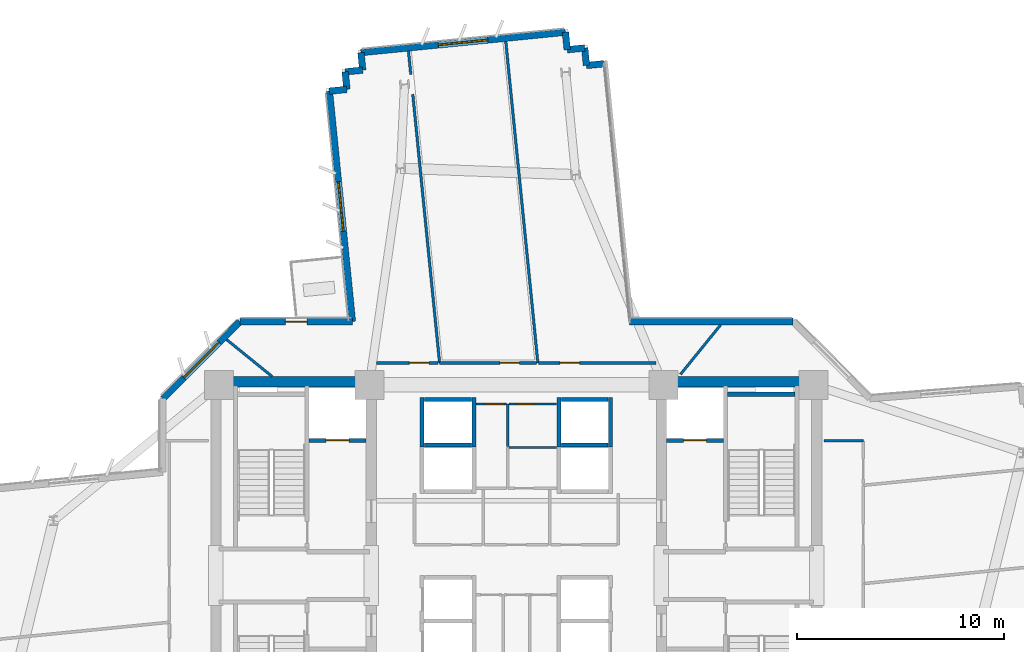
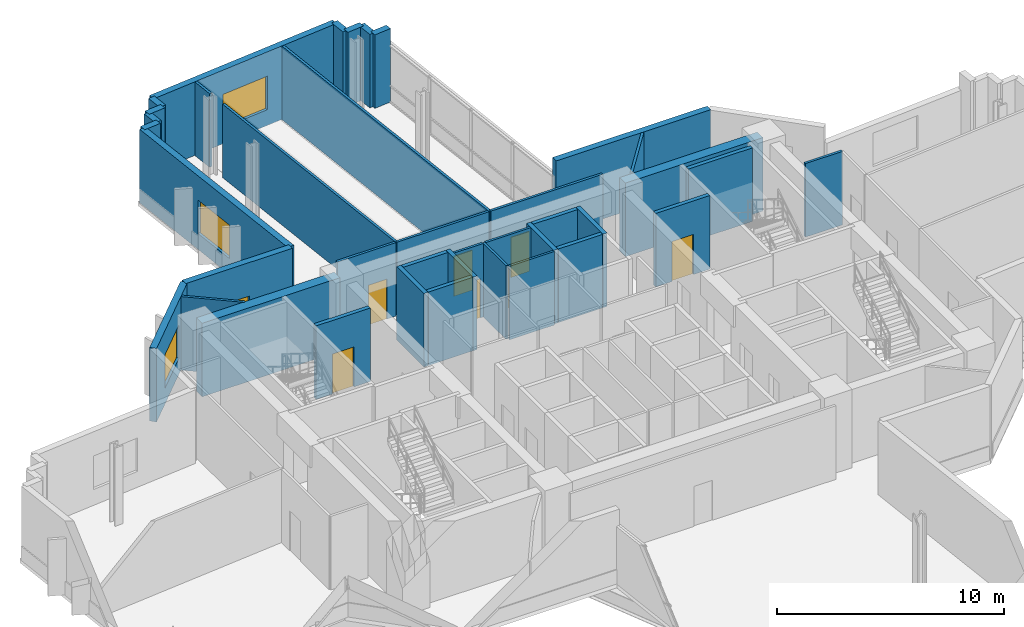
# One storey, part 9 of 14: 39 walls, 8 doors, 3 windows, 11 openings.
"""IFC4 building model written with IfcOpenShell, lengths in metres."""

import ifcopenshell
import ifcopenshell.guid

model = None  # the IFC model being written
_history = None  # IfcOwnerHistory: only IFC2X3 demands one
_inside = {}  # id of a spatial element -> (the spatial element, [elements in it])
_under = {}  # id of a project, library or spatial element -> (it, [spatial elements below it])
_declared = {}  # id of a project -> (the project, [libraries it declares])
_typed = {}  # id of a type object -> (the type object, [elements of that type])
_made_of = {}  # id of a material, layer set ... -> (it, [elements and type objects made of it])


def new_model(schema):
    """Start an empty IFC model of exactly this schema.

    Asked for "IFC4X3", IfcOpenShell would pick the latest addendum, in which some entities
    have other attributes; the version numbers below select the first issue.
    IFC2X3 requires an IfcOwnerHistory on every rooted entity: one is made here for all.
    """
    global model, _history
    if schema == "IFC4X3":
        model = ifcopenshell.file(schema_version=(4, 3, 0, 0))
    else:
        model = ifcopenshell.file(schema=schema)
    _inside.clear()
    _under.clear()
    _declared.clear()
    _typed.clear()
    _made_of.clear()
    _history = None
    if model.schema == "IFC2X3":
        org = make("IfcOrganization", Name="unknown")
        user = make(
            "IfcPersonAndOrganization",
            ThePerson=make("IfcPerson", FamilyName="unknown"),
            TheOrganization=org,
        )
        app = make(
            "IfcApplication",
            ApplicationDeveloper=org,
            Version="unknown",
            ApplicationFullName="unknown",
            ApplicationIdentifier="unknown",
        )
        _history = make(
            "IfcOwnerHistory",
            OwningUser=user,
            OwningApplication=app,
            ChangeAction="ADDED",
            CreationDate=0,
        )
    return model


def make(cls, **values):
    """One entity of the class cls with the attributes given. An attribute that is None is left unset."""
    return model.create_entity(
        cls, **{name: value for name, value in values.items() if value is not None}
    )


def rooted(cls, **values):
    """An entity with a GlobalId (a new one), such as an element, a storey or a relation."""
    return make(cls, GlobalId=ifcopenshell.guid.new(), OwnerHistory=_history, **values)


def si_unit(unit_type, name, prefix=None):
    """IfcSIUnit, for example si_unit("LENGTHUNIT", "METRE", prefix="MILLI")."""
    return make("IfcSIUnit", UnitType=unit_type, Prefix=prefix, Name=name)


def assignment(units):
    """IfcUnitAssignment: the units of a project."""
    return None if units is None else make("IfcUnitAssignment", Units=units)


def point(xyz):
    """IfcCartesianPoint."""
    return None if xyz is None else make("IfcCartesianPoint", Coordinates=xyz)


def direction(xyz):
    """IfcDirection."""
    return None if xyz is None else make("IfcDirection", DirectionRatios=xyz)


def frame(location, z_axis=None, x_axis=None):
    """IfcAxis2Placement3D, a coordinate frame: its origin and axes. An axis left out is left unset."""
    return make(
        "IfcAxis2Placement3D",
        Location=point(location),
        Axis=direction(z_axis),
        RefDirection=direction(x_axis),
    )


def frame_2d(location, x_axis=None):
    """IfcAxis2Placement2D, a coordinate frame in the plane: its origin and x axis."""
    return make(
        "IfcAxis2Placement2D", Location=point(location), RefDirection=direction(x_axis)
    )


def origin():
    """The frame at (0, 0, 0) with its axes left unset."""
    return frame((0.0, 0.0, 0.0))


def place(relative_to, where):
    """IfcLocalPlacement: puts the frame where relative to a parent placement (None: the world)."""
    return make(
        "IfcLocalPlacement", PlacementRelTo=relative_to, RelativePlacement=where
    )


def context(
    kind, dimensions, precision=None, world=None, true_north=None, identifier=None
):
    """IfcGeometricRepresentationContext, for example the 3D "Model" context."""
    return make(
        "IfcGeometricRepresentationContext",
        ContextIdentifier=identifier,
        ContextType=kind,
        CoordinateSpaceDimension=dimensions,
        Precision=precision,
        WorldCoordinateSystem=world,
        TrueNorth=true_north,
    )


def subcontext(parent, identifier, kind, view, scale=None):
    """IfcGeometricRepresentationSubContext, for example "Body" below "Model"."""
    return make(
        "IfcGeometricRepresentationSubContext",
        ContextIdentifier=identifier,
        ContextType=kind,
        ParentContext=parent,
        TargetScale=scale,
        TargetView=view,
    )


def project(units=None, contexts=None):
    """IfcProject with its units and contexts."""
    return rooted(
        "IfcProject",
        Name="project",
        RepresentationContexts=contexts,
        UnitsInContext=assignment(units),
    )


def spatial(cls, under=None, at=None, **own):
    """A site, building, storey or space (cls), placed at a placement, below another one or the project."""
    s = rooted(cls, ObjectPlacement=at, **own)
    if under is not None:
        _under.setdefault(under.id(), (under, []))[1].append(s)
    return s


def profile(cls, at=None, kind="AREA", **sizes):
    """A parametric profile (cls). Its sizes go by their IFC names, for example OverallWidth=200.0."""
    return make(cls, ProfileType=kind, Position=at, **sizes)


def rectangle(**sizes):
    """IfcRectangleProfileDef."""
    return profile("IfcRectangleProfileDef", **sizes)


def extrude(swept, where, along, depth):
    """IfcExtrudedAreaSolid: the profile swept, set in the frame where, extruded along a direction by depth."""
    return make(
        "IfcExtrudedAreaSolid",
        SweptArea=swept,
        Position=where,
        ExtrudedDirection=direction(along),
        Depth=depth,
    )


def shape(context_of_items, identifier, shape_type, items):
    """IfcShapeRepresentation: the items that make up one representation, for example the "Body"."""
    return make(
        "IfcShapeRepresentation",
        ContextOfItems=context_of_items,
        RepresentationIdentifier=identifier,
        RepresentationType=shape_type,
        Items=items,
    )


def source(mapping_origin, context_of_items, identifier, shape_type, items):
    """IfcRepresentationMap: a shape defined once, which mapped items show again and again."""
    return make(
        "IfcRepresentationMap",
        MappingOrigin=mapping_origin,
        MappedRepresentation=shape(context_of_items, identifier, shape_type, items),
    )


def transform(
    local_origin,
    x_axis=None,
    y_axis=None,
    z_axis=None,
    scale=None,
    scale2=None,
    scale3=None,
    uniform=True,
):
    """IfcCartesianTransformationOperator3D, or its non-uniform kind. x_axis, y_axis, z_axis: its Axis1, 2, 3."""
    if uniform:
        return make(
            "IfcCartesianTransformationOperator3D",
            Axis1=direction(x_axis),
            Axis2=direction(y_axis),
            LocalOrigin=point(local_origin),
            Scale=scale,
            Axis3=direction(z_axis),
        )
    return make(
        "IfcCartesianTransformationOperator3DnonUniform",
        Axis1=direction(x_axis),
        Axis2=direction(y_axis),
        LocalOrigin=point(local_origin),
        Scale=scale,
        Axis3=direction(z_axis),
        Scale2=scale2,
        Scale3=scale3,
    )


def mapped(mapping_source, mapping_target):
    """IfcMappedItem: shows the shape of a source again, moved by a transform."""
    return make(
        "IfcMappedItem", MappingSource=mapping_source, MappingTarget=mapping_target
    )


def material(Name=None, Category=None):
    """IfcMaterial."""
    return make("IfcMaterial", Name=Name, Category=Category)


def layer(
    of_material, thickness, ventilated=None, Name=None, Category=None, Priority=None
):
    """IfcMaterialLayer: one layer of a wall or slab, of a material (None: an air gap)."""
    return make(
        "IfcMaterialLayer",
        Material=of_material,
        LayerThickness=thickness,
        IsVentilated=ventilated,
        Name=Name,
        Category=Category,
        Priority=Priority,
    )


def layer_set(layers, Name=None):
    """IfcMaterialLayerSet."""
    return make("IfcMaterialLayerSet", MaterialLayers=layers, LayerSetName=Name)


def made_of(thing, what):
    """Note that an element or type object is made of a material, layer set ...; save() writes the relation."""
    if what is not None:
        _made_of.setdefault(what.id(), (what, []))[1].append(thing)
    return thing


def type_object(cls, material=None, **own):
    """A type object (cls), such as IfcWallType, which elements share."""
    return made_of(rooted(cls, **own), material)


def element(
    cls,
    number,
    at=None,
    inside=None,
    cuts=None,
    type_object=None,
    material=None,
    context=None,
    identifier="Body",
    shape_type=None,
    held_by="IfcProductDefinitionShape",
    body=None,
    shapes=None,
    **own,
):
    """One element of the class cls, such as IfcWall. Its Tag is "e" and its number.

    at: its placement. inside: the storey or other place that contains it. cuts: it is an
    opening in that element (IfcRelVoidsElement). A single representation is given by context,
    identifier, shape_type and body (its items); several are given by shapes. held_by: the class
    of the entity that holds the representations. save() writes the other relations.
    """
    e = rooted(cls, Tag="e%d" % number, ObjectPlacement=at, **own)
    if body is not None:
        shapes = [shape(context, identifier, shape_type, body)]
    if shapes is not None:
        e.Representation = make(held_by, Representations=shapes)
    if inside is not None:
        _inside.setdefault(inside.id(), (inside, []))[1].append(e)
    if cuts is not None:
        rooted(
            "IfcRelVoidsElement", RelatingBuildingElement=cuts, RelatedOpeningElement=e
        )
    if type_object is not None:
        _typed.setdefault(type_object.id(), (type_object, []))[1].append(e)
    return made_of(e, material)


def fill(opening, filler):
    """IfcRelFillsElement: the door or window that sits in an opening."""
    return rooted(
        "IfcRelFillsElement",
        RelatingOpeningElement=opening,
        RelatedBuildingElement=filler,
    )


def aggregate(whole, parts):
    """IfcRelAggregates: a whole, such as a stair, and the parts it consists of."""
    return rooted("IfcRelAggregates", RelatingObject=whole, RelatedObjects=parts)


def save(model, path):
    """Write the relations noted so far, then the file.

    IfcRelAggregates (storeys below a building ...), IfcRelContainedInSpatialStructure (elements
    in a storey), IfcRelDefinesByType, IfcRelAssociatesMaterial and IfcRelDeclares: one each for
    every whole, place, type object, material and project.
    """
    for whole, parts in _under.values():
        aggregate(whole, parts)
    for where, things in _inside.values():
        rooted(
            "IfcRelContainedInSpatialStructure",
            RelatedElements=things,
            RelatingStructure=where,
        )
    for kind, things in _typed.values():
        rooted("IfcRelDefinesByType", RelatedObjects=things, RelatingType=kind)
    for what, things in _made_of.values():
        rooted("IfcRelAssociatesMaterial", RelatedObjects=things, RelatingMaterial=what)
    for by, libraries in _declared.values():
        rooted("IfcRelDeclares", RelatingContext=by, RelatedDefinitions=libraries)
    model.write(path)


model = new_model("IFC4")

# Units and contexts
model_context = context("Model", 3, precision=1e-05, world=origin(), true_north=direction((0.0, 1.0)))
body_context = subcontext(model_context, "Body", "Model", "MODEL_VIEW")
ifc_project = project(units=[si_unit("LENGTHUNIT", "METRE"), si_unit("AREAUNIT", "SQUARE_METRE"), si_unit("VOLUMEUNIT", "CUBIC_METRE"), si_unit("PLANEANGLEUNIT", "RADIAN"), si_unit("MASSUNIT", "GRAM", prefix="KILO")], contexts=[model_context])

# Site, building, storey
site_placement = place(None, origin())
site = spatial("IfcSite", under=ifc_project, at=site_placement, CompositionType="ELEMENT")
building_placement = place(site_placement, origin())
building = spatial("IfcBuilding", under=site, at=building_placement, Name="Zahravan Cultural Tower", CompositionType="ELEMENT")
storey_placement = place(building_placement, frame((0.0, 0.0, 92.10009765625)))
storey = spatial("IfcBuildingStorey", under=building, at=storey_placement, Name="L20", CompositionType="ELEMENT", Elevation=92.10009765625)

# Wall, opening, window
ifc_material_1 = material(Name="Precast concrete C40/50", Category="concrete")
ifc_layer_1 = layer(ifc_material_1, 0.320068359375)
ifc_layer_set_1 = layer_set([ifc_layer_1], Name="Precast concrete C40/50")
wall_type_1 = type_object("IfcWallType", Name="EW-TC-320", PredefinedType="SOLIDWALL", material=ifc_layer_set_1)
wall_1_placement = place(storey_placement, frame((18.93994140625, 35.5419921875, 0.0), z_axis=(0.0, 0.0, 1.0), x_axis=(0.707106781187, 0.707106781187, 0.0)))
wall_1 = element("IfcWall", 1, at=wall_1_placement, inside=storey, type_object=wall_type_1, Name="L20 Exterior Masonry Frame Wall 13", PredefinedType="SOLIDWALL", context=body_context, shape_type="SweptSolid", body=[
    extrude(rectangle(XDim=5.258056640625, YDim=0.320068359375, at=frame_2d((2.62890625, 0.0))), origin(), (0.0, 0.0, 1.0), 3.949951171875),
])
opening_1_placement = place(wall_1_placement, frame((1.428955078125, 0.0, 0.85009765625)))
opening_1 = element("IfcOpeningElement", 2, at=opening_1_placement, cuts=wall_1, Name="Opening WN-01", PredefinedType="OPENING", context=body_context, shape_type="SweptSolid", body=[
    extrude(rectangle(XDim=2.39990234375, YDim=1.800048828125, at=frame_2d((1.199951171875, 0.89990234375))), frame((0.0, 0.169921875, 0.0), z_axis=(0.0, -1.0, 0.0), x_axis=(1.0, 0.0, 0.0)), (0.0, 0.0, 1.0), 0.340087890625),
])
ifc_material_2 = material(Name="Low-E solar-control double glazing", Category="glass")
window_type = type_object("IfcWindowType", Name="WN-REC-2400X1800", PartitioningType="DOUBLE_PANEL_VERTICAL", PredefinedType="WINDOW", material=ifc_material_2)
shared_shape_1 = source(origin(), body_context, "Body", "SweptSolid", [
    extrude(rectangle(XDim=2.39990234375, YDim=1.800048828125, at=frame_2d((1.199951171875, 0.89990234375))), frame((0.0, 0.030029296875, 0.0), z_axis=(0.0, -1.0, 0.0), x_axis=(1.0, 0.0, 0.0)), (0.0, 0.0, 1.0), 0.06005859375),
])
window_1_placement = place(opening_1_placement, origin())
window_1 = element("IfcWindow", 3, at=window_1_placement, inside=storey, type_object=window_type, Name="L20 Recessed Solar Window 03", OverallHeight=1.800048828125, OverallWidth=2.39990234375, PartitioningType="DOUBLE_PANEL_VERTICAL", PredefinedType="WINDOW", context=body_context, shape_type="MappedRepresentation", body=[
    mapped(shared_shape_1, transform((0.0, 0.0, 0.0), x_axis=(1.0, 0.0, 0.0), y_axis=(0.0, 1.0, 0.0), z_axis=(0.0, 0.0, 1.0), scale=1.0)),
])
fill(opening_1, window_1)

# Wall, opening, door
wall_2_placement = place(storey_placement, frame((22.657958984375, 39.260009765625, 0.0), z_axis=(0.0, 0.0, 1.0), x_axis=(1.0, 0.0, 0.0)))
wall_2 = element("IfcWall", 4, at=wall_2_placement, inside=storey, type_object=wall_type_1, Name="L20 Exterior Masonry Frame Wall 14", PredefinedType="SOLIDWALL", context=body_context, shape_type="SweptSolid", body=[
    extrude(rectangle(XDim=5.42529296875, YDim=0.320068359375, at=frame_2d((2.712646484375, 0.0))), origin(), (0.0, 0.0, 1.0), 3.949951171875),
])
opening_2_placement = place(wall_2_placement, frame((2.18798828125, 0.0, 0.0)))
opening_2 = element("IfcOpeningElement", 5, at=opening_2_placement, cuts=wall_2, Name="Opening D-L20-TR-NW", PredefinedType="OPENING", context=body_context, shape_type="SweptSolid", body=[
    extrude(rectangle(XDim=1.050048828125, YDim=2.14990234375, at=frame_2d((0.52490234375, 1.074951171875))), frame((0.0, 0.169921875, 0.0), z_axis=(0.0, -1.0, 0.0), x_axis=(1.0, 0.0, 0.0)), (0.0, 0.0, 1.0), 0.340087890625),
])
ifc_material_3 = material(Name="Anodised bronze-aluminium mullion", Category="aluminium")
door_type_1 = type_object("IfcDoorType", Name="DR-TERR-1050", OperationType="NOTDEFINED", PredefinedType="DOOR", material=ifc_material_3)
shared_shape_2 = source(origin(), body_context, "Body", "SweptSolid", [
    extrude(rectangle(XDim=1.050048828125, YDim=2.14990234375, at=frame_2d((0.52490234375, 1.074951171875))), frame((0.0, 0.02490234375, 0.0), z_axis=(0.0, -1.0, 0.0), x_axis=(1.0, 0.0, 0.0)), (0.0, 0.0, 1.0), 0.050048828125),
])
door_1_placement = place(opening_2_placement, origin())
door_1 = element("IfcDoor", 6, at=door_1_placement, inside=storey, type_object=door_type_1, Name="L20 Terrace Access Door NW", OperationType="SINGLE_SWING_LEFT", OverallHeight=2.14990234375, OverallWidth=1.050048828125, PredefinedType="DOOR", context=body_context, shape_type="MappedRepresentation", body=[
    mapped(shared_shape_2, transform((0.0, 0.0, 0.0), x_axis=(1.0, 0.0, 0.0), y_axis=(0.0, 1.0, 0.0), z_axis=(0.0, 0.0, 1.0), scale=1.0)),
])
fill(opening_2, door_1)

# Wall, opening, window
wall_3_placement = place(storey_placement, frame((28.083251953125, 39.260009765625, 0.0), z_axis=(0.0, 0.0, 1.0), x_axis=(-0.099322009391, 0.995055344416, 0.0)))
wall_3 = element("IfcWall", 7, at=wall_3_placement, inside=storey, type_object=wall_type_1, Name="L20 Exterior Masonry Frame Wall 15", PredefinedType="SOLIDWALL", context=body_context, shape_type="SweptSolid", body=[
    extrude(rectangle(XDim=11.17431640625, YDim=0.320068359375, at=frame_2d((5.587158203125, 0.0))), origin(), (0.0, 0.0, 1.0), 3.949951171875),
])
opening_3_placement = place(wall_3_placement, frame((4.386962890625, 0.0, 0.85009765625)))
opening_3 = element("IfcOpeningElement", 8, at=opening_3_placement, cuts=wall_3, Name="Opening WN-01", PredefinedType="OPENING", context=body_context, shape_type="SweptSolid", body=[
    extrude(rectangle(XDim=2.39990234375, YDim=1.800048828125, at=frame_2d((1.199951171875, 0.89990234375))), frame((0.0, 0.169921875, 0.0), z_axis=(0.0, -1.0, 0.0), x_axis=(1.0, 0.0, 0.0)), (0.0, 0.0, 1.0), 0.340087890625),
])
window_2_placement = place(opening_3_placement, origin())
window_2 = element("IfcWindow", 9, at=window_2_placement, inside=storey, type_object=window_type, Name="L20 Recessed Solar Window 04", OverallHeight=1.800048828125, OverallWidth=2.39990234375, PartitioningType="DOUBLE_PANEL_VERTICAL", PredefinedType="WINDOW", context=body_context, shape_type="MappedRepresentation", body=[
    mapped(shared_shape_1, transform((0.0, 0.0, 0.0), x_axis=(1.0, 0.0, 0.0), y_axis=(0.0, 1.0, 0.0), z_axis=(0.0, 0.0, 1.0), scale=1.0)),
])
fill(opening_3, window_2)

wall_4_placement = place(storey_placement, frame((28.49609375, 52.239501953125, 0.0), z_axis=(0.0, 0.0, 1.0), x_axis=(0.995054718915, 0.09932827576, 0.0)))
wall_4 = element("IfcWall", 10, at=wall_4_placement, inside=storey, type_object=wall_type_1, Name="L20 Exterior Masonry Frame Wall 20", PredefinedType="SOLIDWALL", context=body_context, shape_type="SweptSolid", body=[
    extrude(rectangle(XDim=9.920166015625, YDim=0.320068359375, at=frame_2d((4.9599609375, 0.0))), origin(), (0.0, 0.0, 1.0), 3.949951171875),
])
opening_4_placement = place(wall_4_placement, frame((3.760009765625, 0.0, 0.85009765625)))
opening_4 = element("IfcOpeningElement", 11, at=opening_4_placement, cuts=wall_4, Name="Opening WN-01", PredefinedType="OPENING", context=body_context, shape_type="SweptSolid", body=[
    extrude(rectangle(XDim=2.39990234375, YDim=1.800048828125, at=frame_2d((1.199951171875, 0.89990234375))), frame((0.0, 0.169921875, 0.0), z_axis=(0.0, -1.0, 0.0), x_axis=(1.0, 0.0, 0.0)), (0.0, 0.0, 1.0), 0.340087890625),
])
window_3_placement = place(opening_4_placement, origin())
window_3 = element("IfcWindow", 12, at=window_3_placement, inside=storey, type_object=window_type, Name="L20 Recessed Solar Window 05", OverallHeight=1.800048828125, OverallWidth=2.39990234375, PartitioningType="DOUBLE_PANEL_VERTICAL", PredefinedType="WINDOW", context=body_context, shape_type="MappedRepresentation", body=[
    mapped(shared_shape_1, transform((0.0, 0.0, 0.0), x_axis=(1.0, 0.0, 0.0), y_axis=(0.0, 1.0, 0.0), z_axis=(0.0, 0.0, 1.0), scale=1.0)),
])
fill(opening_4, window_3)

# Wall, opening, door
ifc_material_4 = material(Name="Gypsum plasterboard partition")
ifc_layer_2 = layer(ifc_material_4, 0.125)
ifc_layer_set_2 = layer_set([ifc_layer_2], Name="Gypsum plasterboard partition")
wall_type_2 = type_object("IfcWallType", Name="W-PART-125", PredefinedType="PARTITIONING", material=ifc_layer_set_2)
wall_5_placement = place(storey_placement, frame((36.96826171875, 37.260009765625, 0.0), z_axis=(0.0, 0.0, 1.0), x_axis=(-1.0, 0.0, 0.0)))
wall_5 = element("IfcWall", 13, at=wall_5_placement, inside=storey, type_object=wall_type_2, Name="L20 Interior Wall 101", PredefinedType="PARTITIONING", context=body_context, shape_type="SweptSolid", body=[
    extrude(rectangle(XDim=4.675537109375, YDim=0.125, at=frame_2d((2.337890625, 0.0))), origin(), (0.0, 0.0, 1.0), 3.949951171875),
])
opening_5_placement = place(wall_5_placement, frame((0.819580078125, 0.0, 0.0)))
opening_5 = element("IfcOpeningElement", 14, at=opening_5_placement, cuts=wall_5, Name="Opening D-L20-25", PredefinedType="OPENING", context=body_context, shape_type="SweptSolid", body=[
    extrude(rectangle(XDim=0.949951171875, YDim=2.14990234375, at=frame_2d((0.47509765625, 1.074951171875))), frame((0.0, 0.072509765625, 0.0), z_axis=(0.0, -1.0, 0.0), x_axis=(1.0, 0.0, 0.0)), (0.0, 0.0, 1.0), 0.14501953125),
])
door_type_2 = type_object("IfcDoorType", Name="DR-ROOM-950", OperationType="NOTDEFINED", PredefinedType="DOOR", material=ifc_material_3)
shared_shape_3 = source(origin(), body_context, "Body", "SweptSolid", [
    extrude(rectangle(XDim=0.949951171875, YDim=2.14990234375, at=frame_2d((0.47509765625, 1.074951171875))), frame((0.0, 0.02490234375, 0.0), z_axis=(0.0, -1.0, 0.0), x_axis=(1.0, 0.0, 0.0)), (0.0, 0.0, 1.0), 0.050048828125),
])
door_2_placement = place(opening_5_placement, origin())
door_2 = element("IfcDoor", 15, at=door_2_placement, inside=storey, type_object=door_type_2, Name="L20 Door D-L20-25", OperationType="SINGLE_SWING_RIGHT", OverallHeight=2.14990234375, OverallWidth=0.949951171875, PredefinedType="DOOR", context=body_context, shape_type="MappedRepresentation", body=[
    mapped(shared_shape_3, transform((0.0, 0.0, 0.0), x_axis=(1.0, 0.0, 0.0), y_axis=(0.0, 1.0, 0.0), z_axis=(0.0, 0.0, 1.0), scale=1.0)),
])
fill(opening_5, door_2)

wall_6_placement = place(storey_placement, frame((32.224853515625, 37.260009765625, 0.0), z_axis=(0.0, 0.0, 1.0), x_axis=(-0.999999915533, -0.000411015173, 0.0)))
wall_6 = element("IfcWall", 16, at=wall_6_placement, inside=storey, type_object=wall_type_2, Name="L20 Interior Wall 104", PredefinedType="PARTITIONING", context=body_context, shape_type="SweptSolid", body=[
    extrude(rectangle(XDim=2.969970703125, YDim=0.125, at=frame_2d((1.48486328125, 0.0))), origin(), (0.0, 0.0, 1.0), 3.949951171875),
])
opening_6_placement = place(wall_6_placement, frame((0.4443359375, 0.0, 0.0)))
opening_6 = element("IfcOpeningElement", 17, at=opening_6_placement, cuts=wall_6, Name="Opening D-L20-26", PredefinedType="OPENING", context=body_context, shape_type="SweptSolid", body=[
    extrude(rectangle(XDim=0.949951171875, YDim=2.14990234375, at=frame_2d((0.47509765625, 1.074951171875))), frame((0.0, 0.072509765625, 0.0), z_axis=(0.0, -1.0, 0.0), x_axis=(1.0, 0.0, 0.0)), (0.0, 0.0, 1.0), 0.14501953125),
])
door_3_placement = place(opening_6_placement, origin())
door_3 = element("IfcDoor", 18, at=door_3_placement, inside=storey, type_object=door_type_2, Name="L20 Door D-L20-26", OperationType="SINGLE_SWING_LEFT", OverallHeight=2.14990234375, OverallWidth=0.949951171875, PredefinedType="DOOR", context=body_context, shape_type="MappedRepresentation", body=[
    mapped(shared_shape_3, transform((0.0, 0.0, 0.0), x_axis=(1.0, 0.0, 0.0), y_axis=(0.0, 1.0, 0.0), z_axis=(0.0, 0.0, 1.0), scale=1.0)),
])
fill(opening_6, door_3)

wall_7_placement = place(storey_placement, frame((42.742431640625, 37.259765625, 0.0), z_axis=(0.0, 0.0, 1.0), x_axis=(-0.999999999078, 4.2935039e-05, 0.0)))
wall_7 = element("IfcWall", 19, at=wall_7_placement, inside=storey, type_object=wall_type_2, Name="L20 Interior Wall 110", PredefinedType="PARTITIONING", context=body_context, shape_type="SweptSolid", body=[
    extrude(rectangle(XDim=5.686279296875, YDim=0.125, at=frame_2d((2.84326171875, 0.0))), origin(), (0.0, 0.0, 1.0), 3.949951171875),
])
opening_7_placement = place(wall_7_placement, frame((3.694091796875, 0.0, 0.0)))
opening_7 = element("IfcOpeningElement", 20, at=opening_7_placement, cuts=wall_7, Name="Opening D-L20-24", PredefinedType="OPENING", context=body_context, shape_type="SweptSolid", body=[
    extrude(rectangle(XDim=0.949951171875, YDim=2.14990234375, at=frame_2d((0.47509765625, 1.074951171875))), frame((0.0, 0.072509765625, 0.0), z_axis=(0.0, -1.0, 0.0), x_axis=(1.0, 0.0, 0.0)), (0.0, 0.0, 1.0), 0.14501953125),
])
door_4_placement = place(opening_7_placement, origin())
door_4 = element("IfcDoor", 21, at=door_4_placement, inside=storey, type_object=door_type_2, Name="L20 Door D-L20-24", OperationType="SINGLE_SWING_LEFT", OverallHeight=2.14990234375, OverallWidth=0.949951171875, PredefinedType="DOOR", context=body_context, shape_type="MappedRepresentation", body=[
    mapped(shared_shape_3, transform((0.0, 0.0, 0.0), x_axis=(1.0, 0.0, 0.0), y_axis=(0.0, 1.0, 0.0), z_axis=(0.0, 0.0, 1.0), scale=1.0)),
])
fill(opening_7, door_4)

ifc_material_5 = material(Name="Concrete C45/55", Category="concrete")
ifc_layer_3 = layer(ifc_material_5, 0.199951171875)
ifc_layer_set_3 = layer_set([ifc_layer_3], Name="Concrete C45/55")
wall_type_3 = type_object("IfcWallType", Name="W-SHAFT-200", PredefinedType="SOLIDWALL", material=ifc_layer_set_3)
wall_8_placement = place(storey_placement, frame((26.0, 33.52001953125, 0.0), z_axis=(0.0, 0.0, 1.0), x_axis=(1.0, 0.0, 0.0)))
wall_8 = element("IfcWall", 22, at=wall_8_placement, inside=storey, type_object=wall_type_3, Name="L20 Interior Wall 021", PredefinedType="SOLIDWALL", context=body_context, shape_type="SweptSolid", body=[
    extrude(rectangle(XDim=2.75, YDim=0.199951171875, at=frame_2d((1.375, 0.0))), origin(), (0.0, 0.0, 1.0), 3.949951171875),
])
opening_8_placement = place(wall_8_placement, frame((0.820068359375, 0.0, 0.0)))
opening_8 = element("IfcOpeningElement", 23, at=opening_8_placement, cuts=wall_8, Name="Opening LD-L20-01", PredefinedType="OPENING", context=body_context, shape_type="SweptSolid", body=[
    extrude(rectangle(XDim=1.10009765625, YDim=2.14990234375, at=frame_2d((0.550048828125, 1.074951171875))), frame((0.0, 0.10986328125, 0.0), z_axis=(0.0, -1.0, 0.0), x_axis=(1.0, 0.0, 0.0)), (0.0, 0.0, 1.0), 0.219970703125),
])
ifc_material_6 = material(Name="Steel ASTM A572 Grade 50", Category="steel")
door_type_3 = type_object("IfcDoorType", Name="DR-LIFT-1100", OperationType="DOUBLE_DOOR_SLIDING", PredefinedType="DOOR", material=ifc_material_6)
shared_shape_4 = source(origin(), body_context, "Body", "SweptSolid", [
    extrude(rectangle(XDim=1.10009765625, YDim=2.14990234375, at=frame_2d((0.550048828125, 1.074951171875))), frame((0.0, 0.02490234375, 0.0), z_axis=(0.0, -1.0, 0.0), x_axis=(1.0, 0.0, 0.0)), (0.0, 0.0, 1.0), 0.050048828125),
])
door_5_placement = place(opening_8_placement, origin())
door_5 = element("IfcDoor", 24, at=door_5_placement, inside=storey, type_object=door_type_3, Name="L20 Door LD-L20-01", OperationType="DOUBLE_DOOR_SLIDING", OverallHeight=2.14990234375, OverallWidth=1.10009765625, PredefinedType="DOOR", context=body_context, shape_type="MappedRepresentation", body=[
    mapped(shared_shape_4, transform((0.0, 0.0, 0.0), x_axis=(1.0, 0.0, 0.0), y_axis=(0.0, 1.0, 0.0), z_axis=(0.0, 0.0, 1.0), scale=1.0)),
])
fill(opening_8, door_5)

wall_9_placement = place(storey_placement, frame((43.25, 33.52001953125, 0.0), z_axis=(0.0, 0.0, 1.0), x_axis=(1.0, 0.0, 0.0)))
wall_9 = element("IfcWall", 25, at=wall_9_placement, inside=storey, type_object=wall_type_3, Name="L20 Interior Wall 022", PredefinedType="SOLIDWALL", context=body_context, shape_type="SweptSolid", body=[
    extrude(rectangle(XDim=2.75, YDim=0.199951171875, at=frame_2d((1.375, 0.0))), origin(), (0.0, 0.0, 1.0), 3.949951171875),
])
opening_9_placement = place(wall_9_placement, frame((0.820068359375, 0.0, 0.0)))
opening_9 = element("IfcOpeningElement", 26, at=opening_9_placement, cuts=wall_9, Name="Opening LD-L20-02", PredefinedType="OPENING", context=body_context, shape_type="SweptSolid", body=[
    extrude(rectangle(XDim=1.10009765625, YDim=2.14990234375, at=frame_2d((0.550048828125, 1.074951171875))), frame((0.0, 0.10986328125, 0.0), z_axis=(0.0, -1.0, 0.0), x_axis=(1.0, 0.0, 0.0)), (0.0, 0.0, 1.0), 0.219970703125),
])
door_6_placement = place(opening_9_placement, origin())
door_6 = element("IfcDoor", 27, at=door_6_placement, inside=storey, type_object=door_type_3, Name="L20 Door LD-L20-02", OperationType="DOUBLE_DOOR_SLIDING", OverallHeight=2.14990234375, OverallWidth=1.10009765625, PredefinedType="DOOR", context=body_context, shape_type="MappedRepresentation", body=[
    mapped(shared_shape_4, transform((0.0, 0.0, 0.0), x_axis=(1.0, 0.0, 0.0), y_axis=(0.0, 1.0, 0.0), z_axis=(0.0, 0.0, 1.0), scale=1.0)),
])
fill(opening_9, door_6)

ifc_layer_4 = layer(ifc_material_4, 0.114990234375)
ifc_layer_set_4 = layer_set([ifc_layer_4], Name="Gypsum plasterboard partition")
wall_type_4 = type_object("IfcWallType", Name="W-WC-115", PredefinedType="PARTITIONING", material=ifc_layer_set_4)
wall_10_placement = place(storey_placement, frame((35.652587890625, 35.280029296875, 0.0), z_axis=(0.0, 0.0, 1.0), x_axis=(1.0, 0.0, 0.0)))
wall_10 = element("IfcWall", 28, at=wall_10_placement, inside=storey, type_object=wall_type_4, Name="L20 Interior Wall 073", PredefinedType="PARTITIONING", context=body_context, shape_type="SweptSolid", body=[
    extrude(rectangle(XDim=2.29248046875, YDim=0.114990234375, at=frame_2d((1.146240234375, 0.0))), origin(), (0.0, 0.0, 1.0), 3.949951171875),
])
opening_10_placement = place(wall_10_placement, frame((0.3203125, 0.0, 0.0)))
opening_10 = element("IfcOpeningElement", 29, at=opening_10_placement, cuts=wall_10, Name="Opening D-L20-14", PredefinedType="OPENING", context=body_context, shape_type="SweptSolid", body=[
    extrude(rectangle(XDim=0.89990234375, YDim=2.10009765625, at=frame_2d((0.449951171875, 1.050048828125))), frame((0.0, 0.0673828125, 0.0), z_axis=(0.0, -1.0, 0.0), x_axis=(1.0, 0.0, 0.0)), (0.0, 0.0, 1.0), 0.135009765625),
])
door_type_4 = type_object("IfcDoorType", Name="DR-WC-900", OperationType="NOTDEFINED", PredefinedType="DOOR", material=ifc_material_3)
shared_shape_5 = source(origin(), body_context, "Body", "SweptSolid", [
    extrude(rectangle(XDim=0.89990234375, YDim=2.10009765625, at=frame_2d((0.449951171875, 1.050048828125))), frame((0.0, 0.02490234375, 0.0), z_axis=(0.0, -1.0, 0.0), x_axis=(1.0, 0.0, 0.0)), (0.0, 0.0, 1.0), 0.050048828125),
])
door_7_placement = place(opening_10_placement, origin())
door_7 = element("IfcDoor", 30, at=door_7_placement, inside=storey, type_object=door_type_4, Name="L20 Door D-L20-14", OperationType="SINGLE_SWING_LEFT", OverallHeight=2.10009765625, OverallWidth=0.89990234375, PredefinedType="DOOR", context=body_context, shape_type="MappedRepresentation", body=[
    mapped(shared_shape_5, transform((0.0, 0.0, 0.0), x_axis=(1.0, 0.0, 0.0), y_axis=(0.0, 1.0, 0.0), z_axis=(0.0, 0.0, 1.0), scale=1.0)),
])
fill(opening_10, door_7)

wall_11_placement = place(storey_placement, frame((34.054931640625, 35.280029296875, 0.0), z_axis=(0.0, 0.0, 1.0), x_axis=(1.0, 0.0, 0.0)))
wall_11 = element("IfcWall", 31, at=wall_11_placement, inside=storey, type_object=wall_type_4, Name="L20 Interior Wall 075", PredefinedType="PARTITIONING", context=body_context, shape_type="SweptSolid", body=[
    extrude(rectangle(XDim=1.47265625, YDim=0.114990234375, at=frame_2d((0.736328125, 0.0))), origin(), (0.0, 0.0, 1.0), 3.949951171875),
])
opening_11_placement = place(wall_11_placement, frame((0.4326171875, 0.0, 0.0)))
opening_11 = element("IfcOpeningElement", 32, at=opening_11_placement, cuts=wall_11, Name="Opening D-L20-13", PredefinedType="OPENING", context=body_context, shape_type="SweptSolid", body=[
    extrude(rectangle(XDim=0.89990234375, YDim=2.10009765625, at=frame_2d((0.449951171875, 1.050048828125))), frame((0.0, 0.0673828125, 0.0), z_axis=(0.0, -1.0, 0.0), x_axis=(1.0, 0.0, 0.0)), (0.0, 0.0, 1.0), 0.135009765625),
])
door_8_placement = place(opening_11_placement, origin())
door_8 = element("IfcDoor", 33, at=door_8_placement, inside=storey, type_object=door_type_4, Name="L20 Door D-L20-13", OperationType="SINGLE_SWING_RIGHT", OverallHeight=2.10009765625, OverallWidth=0.89990234375, PredefinedType="DOOR", context=body_context, shape_type="MappedRepresentation", body=[
    mapped(shared_shape_5, transform((0.0, 0.0, 0.0), x_axis=(1.0, 0.0, 0.0), y_axis=(0.0, 1.0, 0.0), z_axis=(0.0, 0.0, 1.0), scale=1.0)),
])
fill(opening_11, door_8)

# Walls
ifc_material_7 = material(Name="Concrete C60/75", Category="concrete")
ifc_layer_5 = layer(ifc_material_7, 0.5)
ifc_layer_set_5 = layer_set([ifc_layer_5], Name="Concrete C60/75")
wall_type_5 = type_object("IfcWallType", Name="CW-SHEAR-500-C60", PredefinedType="SHEAR", material=ifc_layer_set_5)
shared_shape_6 = source(origin(), body_context, "Body", "SweptSolid", [
    extrude(rectangle(XDim=7.0, YDim=0.5, at=frame_2d((3.5, 0.0))), origin(), (0.0, 0.0, 1.0), 3.949951171875),
])
for number, where, z_axis, x_axis, name in (
    (34, (21.75, 36.35009765625, 0.0), (0.0, 0.0, 1.0), (1.0, 0.0, 0.0), "L20 Core Shear Wall CW-W-N-L20"),
    (35, (43.25, 36.35009765625, 0.0), (0.0, 0.0, 1.0), (1.0, 0.0, 0.0), "L20 Core Shear Wall CW-E-N-L20"),
):
    element("IfcWall", number, at=place(storey_placement, frame(where, z_axis=z_axis, x_axis=x_axis)), inside=storey, type_object=wall_type_5, Name=name, PredefinedType="SHEAR", context=body_context, shape_type="MappedRepresentation", body=[
        mapped(shared_shape_6, transform((0.0, 0.0, 0.0), x_axis=(1.0, 0.0, 0.0), y_axis=(0.0, 1.0, 0.0), z_axis=(0.0, 0.0, 1.0), scale=1.0)),
    ])
shared_shape_7 = source(origin(), body_context, "Body", "SweptSolid", [
    extrude(rectangle(XDim=0.849853515625, YDim=0.320068359375, at=frame_2d((0.4248046875, 0.0))), origin(), (0.0, 0.0, 1.0), 3.949951171875),
])
for number, where, z_axis, x_axis, name in (
    (36, (26.973388671875, 50.379150390625, 0.0), (0.0, 0.0, 1.0), (0.995076929088, 0.099105525559, 0.0), "L20 Exterior Masonry Frame Wall 16"),
    (37, (28.58056640625, 51.393798828125, 0.0), (0.0, 0.0, 1.0), (-0.09938995433, 0.995048560111, 0.0), "L20 Exterior Masonry Frame Wall 19"),
    (38, (39.29736328125, 52.46337890625, 0.0), (0.0, 0.0, 1.0), (0.099105525559, -0.995076929088, 0.0), "L20 Exterior Masonry Frame Wall 23"),
):
    element("IfcWall", number, at=place(storey_placement, frame(where, z_axis=z_axis, x_axis=x_axis)), inside=storey, type_object=wall_type_1, Name=name, PredefinedType="SOLIDWALL", context=body_context, shape_type="MappedRepresentation", body=[
        mapped(shared_shape_7, transform((0.0, 0.0, 0.0), x_axis=(1.0, 0.0, 0.0), y_axis=(0.0, 1.0, 0.0), z_axis=(0.0, 0.0, 1.0), scale=1.0)),
    ])
shared_shape_8 = source(origin(), body_context, "Body", "SweptSolid", [
    extrude(rectangle(XDim=0.85009765625, YDim=0.320068359375, at=frame_2d((0.425048828125, 0.0))), origin(), (0.0, 0.0, 1.0), 3.949951171875),
])
for number, where, z_axis, x_axis, name in (
    (39, (27.819091796875, 50.46337890625, 0.0), (0.0, 0.0, 1.0), (-0.099361553589, 0.995051396496, 0.0), "L20 Exterior Masonry Frame Wall 17"),
    (40, (27.734619140625, 51.309326171875, 0.0), (0.0, 0.0, 1.0), (0.995051396496, 0.099361553589, 0.0), "L20 Exterior Masonry Frame Wall 18"),
    (41, (38.3671875, 53.224853515625, 0.0), (0.0, 0.0, 1.0), (0.09907720448, -0.995079749343, 0.0), "L20 Exterior Masonry Frame Wall 21"),
    (42, (38.451416015625, 52.37890625, 0.0), (0.0, 0.0, 1.0), (0.995051396496, 0.099361553589, 0.0), "L20 Exterior Masonry Frame Wall 22"),
    (43, (39.381591796875, 51.61767578125, 0.0), (0.0, 0.0, 1.0), (0.995079749343, 0.09907720448, 0.0), "L20 Exterior Masonry Frame Wall 24"),
):
    element("IfcWall", number, at=place(storey_placement, frame(where, z_axis=z_axis, x_axis=x_axis)), inside=storey, type_object=wall_type_1, Name=name, PredefinedType="SOLIDWALL", context=body_context, shape_type="MappedRepresentation", body=[
        mapped(shared_shape_8, transform((0.0, 0.0, 0.0), x_axis=(1.0, 0.0, 0.0), y_axis=(0.0, 1.0, 0.0), z_axis=(0.0, 0.0, 1.0), scale=1.0)),
    ])
shared_shape_9 = source(origin(), body_context, "Body", "SweptSolid", [
    extrude(rectangle(XDim=7.87255859375, YDim=0.320068359375, at=frame_2d((3.936279296875, 0.0))), origin(), (0.0, 0.0, 1.0), 3.949951171875),
])
wall_12_placement = place(storey_placement, frame((41.469482421875, 39.260009765625, 0.0), z_axis=(0.0, 0.0, 1.0), x_axis=(1.0, 0.0, 0.0)))
element("IfcWall", 44, at=wall_12_placement, inside=storey, type_object=wall_type_1, Name="L20 Exterior Masonry Frame Wall 25", PredefinedType="SOLIDWALL", context=body_context, shape_type="MappedRepresentation", body=[
    mapped(shared_shape_9, transform((0.0, 0.0, 0.0), x_axis=(1.0, 0.0, 0.0), y_axis=(0.0, 1.0, 0.0), z_axis=(0.0, 0.0, 1.0), scale=1.0)),
])
shared_shape_10 = source(origin(), body_context, "Body", "SweptSolid", [
    extrude(rectangle(XDim=3.25, YDim=0.199951171875, at=frame_2d((1.625, 0.0))), origin(), (0.0, 0.0, 1.0), 3.949951171875),
])
wall_13_placement = place(storey_placement, frame((46.199951171875, 35.75, 0.0), z_axis=(0.0, 0.0, 1.0), x_axis=(1.0, 0.0, 0.0)))
element("IfcWall", 45, at=wall_13_placement, inside=storey, type_object=wall_type_3, Name="L20 Interior Wall 018", PredefinedType="SOLIDWALL", context=body_context, shape_type="MappedRepresentation", body=[
    mapped(shared_shape_10, transform((0.0, 0.0, 0.0), x_axis=(1.0, 0.0, 0.0), y_axis=(0.0, 1.0, 0.0), z_axis=(0.0, 0.0, 1.0), scale=1.0)),
])
shared_shape_11 = source(origin(), body_context, "Body", "SweptSolid", [
    extrude(rectangle(XDim=2.400146484375, YDim=0.199951171875, at=frame_2d((1.2001953125, 0.0))), origin(), (0.0, 0.0, 1.0), 3.949951171875),
])
for number, where, z_axis, x_axis, name in (
    (46, (31.449951171875, 33.199951171875, 0.0), (0.0, 0.0, 1.0), (0.0, 1.0, 0.0), "L20 Interior Wall 029"),
    (47, (33.949951171875, 33.199951171875, 0.0), (0.0, 0.0, 1.0), (0.0, 1.0, 0.0), "L20 Interior Wall 030"),
    (48, (38.050048828125, 33.199951171875, 0.0), (0.0, 0.0, 1.0), (0.0, 1.0, 0.0), "L20 Interior Wall 036"),
    (49, (40.550048828125, 33.199951171875, 0.0), (0.0, 0.0, 1.0), (0.0, 1.0, 0.0), "L20 Interior Wall 037"),
):
    element("IfcWall", number, at=place(storey_placement, frame(where, z_axis=z_axis, x_axis=x_axis)), inside=storey, type_object=wall_type_3, Name=name, PredefinedType="SOLIDWALL", context=body_context, shape_type="MappedRepresentation", body=[
        mapped(shared_shape_11, transform((0.0, 0.0, 0.0), x_axis=(1.0, 0.0, 0.0), y_axis=(0.0, 1.0, 0.0), z_axis=(0.0, 0.0, 1.0), scale=1.0)),
    ])
shared_shape_12 = source(origin(), body_context, "Body", "SweptSolid", [
    extrude(rectangle(XDim=2.260009765625, YDim=0.199951171875, at=frame_2d((1.1298828125, 0.0))), origin(), (0.0, 0.0, 1.0), 3.949951171875),
])
for number, where, z_axis, x_axis, name in (
    (50, (31.570068359375, 33.300048828125, 0.0), (0.0, 0.0, 1.0), (1.0, 0.0, 0.0), "L20 Interior Wall 031"),
    (51, (31.570068359375, 35.5, 0.0), (0.0, 0.0, 1.0), (1.0, 0.0, 0.0), "L20 Interior Wall 032"),
    (52, (38.169921875, 33.300048828125, 0.0), (0.0, 0.0, 1.0), (1.0, 0.0, 0.0), "L20 Interior Wall 038"),
    (53, (38.169921875, 35.5, 0.0), (0.0, 0.0, 1.0), (1.0, 0.0, 0.0), "L20 Interior Wall 039"),
):
    element("IfcWall", number, at=place(storey_placement, frame(where, z_axis=z_axis, x_axis=x_axis)), inside=storey, type_object=wall_type_3, Name=name, PredefinedType="SOLIDWALL", context=body_context, shape_type="MappedRepresentation", body=[
        mapped(shared_shape_12, transform((0.0, 0.0, 0.0), x_axis=(1.0, 0.0, 0.0), y_axis=(0.0, 1.0, 0.0), z_axis=(0.0, 0.0, 1.0), scale=1.0)),
    ])
shared_shape_13 = source(origin(), body_context, "Body", "SweptSolid", [
    extrude(rectangle(XDim=2.0400390625, YDim=0.114990234375, at=frame_2d((1.02001953125, 0.0))), origin(), (0.0, 0.0, 1.0), 3.949951171875),
])
wall_14_placement = place(storey_placement, frame((35.590087890625, 33.239990234375, 0.0), z_axis=(0.0, 0.0, 1.0), x_axis=(0.0, 1.0, 0.0)))
element("IfcWall", 54, at=wall_14_placement, inside=storey, type_object=wall_type_4, Name="L20 Interior Wall 072", PredefinedType="PARTITIONING", context=body_context, shape_type="MappedRepresentation", body=[
    mapped(shared_shape_13, transform((0.0, 0.0, 0.0), x_axis=(1.0, 0.0, 0.0), y_axis=(0.0, 1.0, 0.0), z_axis=(0.0, 0.0, 1.0), scale=1.0)),
])
shared_shape_14 = source(origin(), body_context, "Body", "SweptSolid", [
    extrude(rectangle(XDim=2.29248046875, YDim=0.114990234375, at=frame_2d((1.146240234375, 0.0))), origin(), (0.0, 0.0, 1.0), 3.949951171875),
])
wall_15_placement = place(storey_placement, frame((35.652587890625, 33.179931640625, 0.0), z_axis=(0.0, 0.0, 1.0), x_axis=(1.0, 0.0, 0.0)))
element("IfcWall", 55, at=wall_15_placement, inside=storey, type_object=wall_type_4, Name="L20 Interior Wall 071", PredefinedType="PARTITIONING", context=body_context, shape_type="MappedRepresentation", body=[
    mapped(shared_shape_14, transform((0.0, 0.0, 0.0), x_axis=(1.0, 0.0, 0.0), y_axis=(0.0, 1.0, 0.0), z_axis=(0.0, 0.0, 1.0), scale=1.0)),
])
shared_shape_15 = source(origin(), body_context, "Body", "SweptSolid", [
    extrude(rectangle(XDim=3.072021484375, YDim=0.125, at=frame_2d((1.5361328125, 0.0))), origin(), (0.0, 0.0, 1.0), 3.949951171875),
])
wall_16_placement = place(storey_placement, frame((43.919921875, 36.708740234375, 0.0), z_axis=(0.0, 0.0, 1.0), x_axis=(0.629760486176, 0.776789373029, 0.0)))
element("IfcWall", 56, at=wall_16_placement, inside=storey, type_object=wall_type_2, Name="L20 Interior Wall 094", PredefinedType="PARTITIONING", context=body_context, shape_type="MappedRepresentation", body=[
    mapped(shared_shape_15, transform((0.0, 0.0, 0.0), x_axis=(1.0, 0.0, 0.0), y_axis=(0.0, 1.0, 0.0), z_axis=(0.0, 0.0, 1.0), scale=1.0)),
])
shared_shape_16 = source(origin(), body_context, "Body", "SweptSolid", [
    extrude(rectangle(XDim=1.891357421875, YDim=0.125, at=frame_2d((0.94580078125, 0.0))), origin(), (0.0, 0.0, 1.0), 3.949951171875),
])
wall_17_placement = place(storey_placement, frame((52.7490234375, 33.4990234375, 0.0), z_axis=(0.0, 0.0, 1.0), x_axis=(-0.99999992502, 0.000387246647, 0.0)))
element("IfcWall", 57, at=wall_17_placement, inside=storey, type_object=wall_type_2, Name="L20 Interior Wall 096", PredefinedType="PARTITIONING", context=body_context, shape_type="MappedRepresentation", body=[
    mapped(shared_shape_16, transform((0.0, 0.0, 0.0), x_axis=(1.0, 0.0, 0.0), y_axis=(0.0, 1.0, 0.0), z_axis=(0.0, 0.0, 1.0), scale=1.0)),
])
shared_shape_17 = source(origin(), body_context, "Body", "SweptSolid", [
    extrude(rectangle(XDim=15.588623046875, YDim=0.125, at=frame_2d((7.79443359375, 0.0))), origin(), (0.0, 0.0, 1.0), 3.949951171875),
])
wall_18_placement = place(storey_placement, frame((35.48779296875, 52.771484375, 0.0), z_axis=(0.0, 0.0, 1.0), x_axis=(0.099325393126, -0.995055006661, 0.0)))
element("IfcWall", 58, at=wall_18_placement, inside=storey, type_object=wall_type_2, Name="L20 Interior Wall 100", PredefinedType="PARTITIONING", context=body_context, shape_type="MappedRepresentation", body=[
    mapped(shared_shape_17, transform((0.0, 0.0, 0.0), x_axis=(1.0, 0.0, 0.0), y_axis=(0.0, 1.0, 0.0), z_axis=(0.0, 0.0, 1.0), scale=1.0)),
])
shared_shape_18 = source(origin(), body_context, "Body", "SweptSolid", [
    extrude(rectangle(XDim=13.0322265625, YDim=0.125, at=frame_2d((6.51611328125, 0.0))), origin(), (0.0, 0.0, 1.0), 3.949951171875),
])
wall_19_placement = place(storey_placement, frame((32.292724609375, 37.260009765625, 0.0), z_axis=(0.0, 0.0, 1.0), x_axis=(-0.099325655293, 0.995054980491, 0.0)))
element("IfcWall", 59, at=wall_19_placement, inside=storey, type_object=wall_type_2, Name="L20 Interior Wall 102", PredefinedType="PARTITIONING", context=body_context, shape_type="MappedRepresentation", body=[
    mapped(shared_shape_18, transform((0.0, 0.0, 0.0), x_axis=(1.0, 0.0, 0.0), y_axis=(0.0, 1.0, 0.0), z_axis=(0.0, 0.0, 1.0), scale=1.0)),
])
shared_shape_19 = source(origin(), body_context, "Body", "SweptSolid", [
    extrude(rectangle(XDim=1.12060546875, YDim=0.125, at=frame_2d((0.560302734375, 0.0))), origin(), (0.0, 0.0, 1.0), 3.949951171875),
])
wall_20_placement = place(storey_placement, frame((30.90234375, 51.187744140625, 0.0), z_axis=(0.0, 0.0, 1.0), x_axis=(-0.099352712797, 0.99505227926, 0.0)))
element("IfcWall", 60, at=wall_20_placement, inside=storey, type_object=wall_type_2, Name="L20 Interior Wall 103", PredefinedType="PARTITIONING", context=body_context, shape_type="MappedRepresentation", body=[
    mapped(shared_shape_19, transform((0.0, 0.0, 0.0), x_axis=(1.0, 0.0, 0.0), y_axis=(0.0, 1.0, 0.0), z_axis=(0.0, 0.0, 1.0), scale=1.0)),
])
shared_shape_20 = source(origin(), body_context, "Body", "SweptSolid", [
    extrude(rectangle(XDim=2.826904296875, YDim=0.125, at=frame_2d((1.41357421875, 0.0))), origin(), (0.0, 0.0, 1.0), 3.949951171875),
])
wall_21_placement = place(storey_placement, frame((24.212646484375, 36.60498046875, 0.0), z_axis=(0.0, 0.0, 1.0), x_axis=(-0.776808269954, 0.62973717671, 0.0)))
element("IfcWall", 61, at=wall_21_placement, inside=storey, type_object=wall_type_2, Name="L20 Interior Wall 105", PredefinedType="PARTITIONING", context=body_context, shape_type="MappedRepresentation", body=[
    mapped(shared_shape_20, transform((0.0, 0.0, 0.0), x_axis=(1.0, 0.0, 0.0), y_axis=(0.0, 1.0, 0.0), z_axis=(0.0, 0.0, 1.0), scale=1.0)),
])

save(model, "model.ifc")
